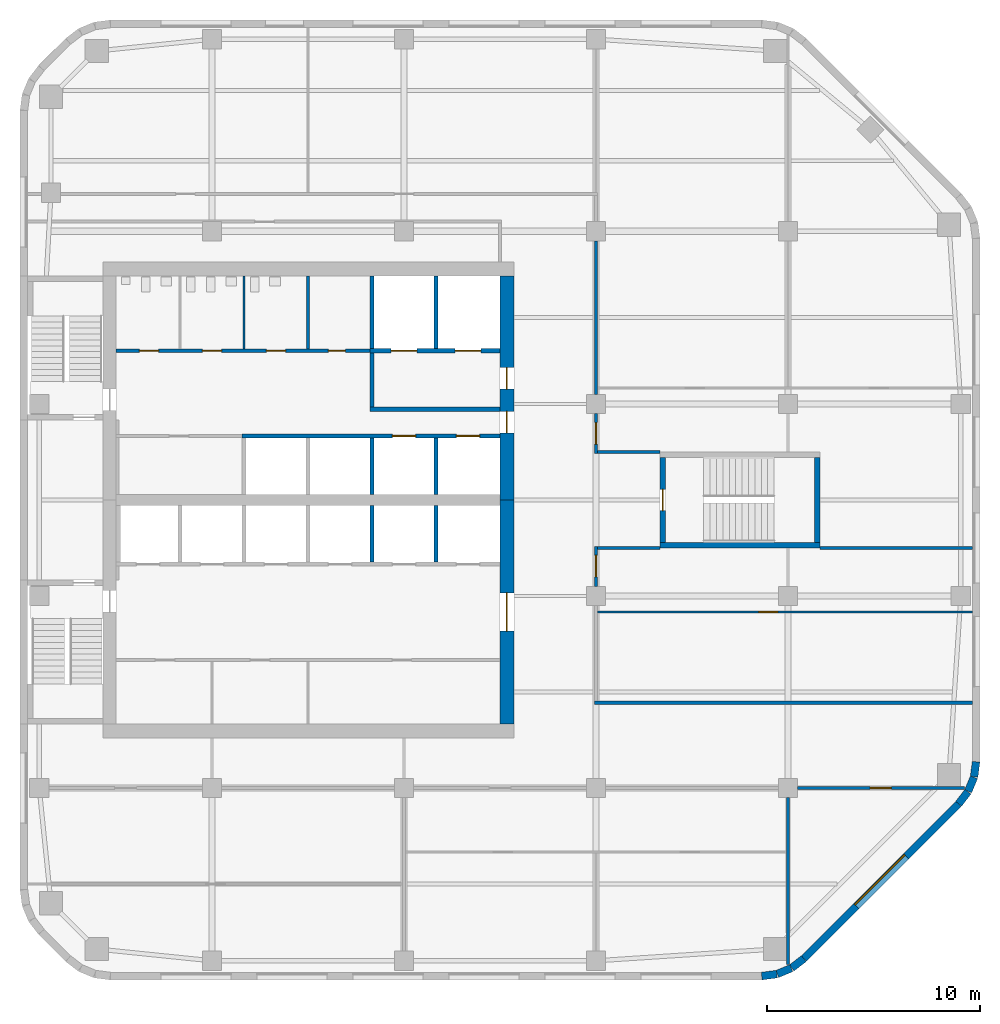
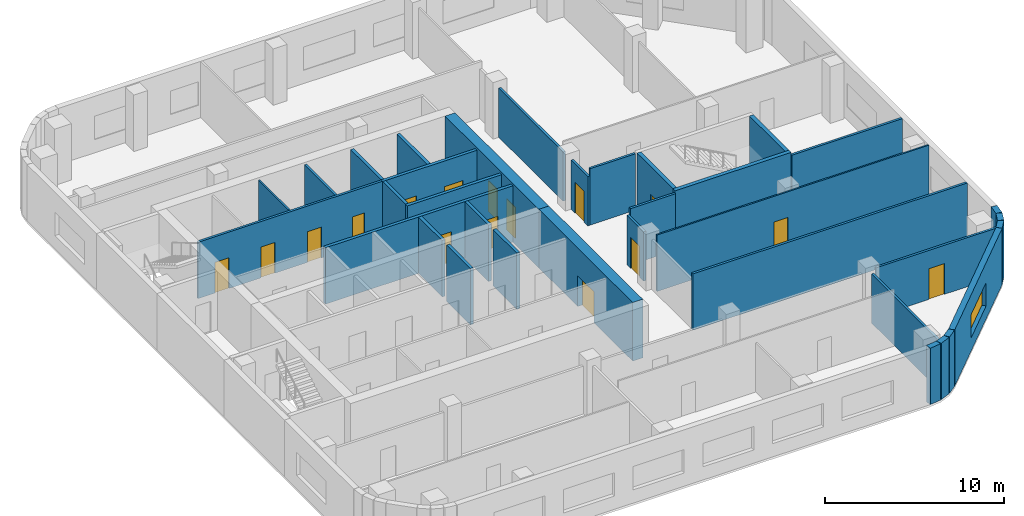
# One storey, part 4 of 8: 35 walls, 16 doors, 1 window, 17 openings.
"""IFC4 building model written with IfcOpenShell, lengths in metres."""

from ifc_helpers import new_model, si_unit, direction, frame, frame_2d, origin, place, context, subcontext, project, spatial, rectangle, extrude, material, layer, layer_set, type_object, element, fill, save


model = new_model("IFC4")

# Units and contexts
model_context = context("Model", 3, precision=1e-05, world=origin(), true_north=direction((0.0, 1.0)))
body_context = subcontext(model_context, "Body", "Model", "MODEL_VIEW")
ifc_project = project(units=[si_unit("LENGTHUNIT", "METRE"), si_unit("AREAUNIT", "SQUARE_METRE"), si_unit("VOLUMEUNIT", "CUBIC_METRE"), si_unit("PLANEANGLEUNIT", "RADIAN"), si_unit("MASSUNIT", "GRAM", prefix="KILO")], contexts=[model_context])

# Site, building, storey
site_placement = place(None, origin())
site = spatial("IfcSite", under=ifc_project, at=site_placement, CompositionType="ELEMENT")
building_placement = place(site_placement, origin())
building = spatial("IfcBuilding", under=site, at=building_placement, Name="Cinnabar Reach Civic Tower", CompositionType="ELEMENT")
storey_placement = place(building_placement, frame((0.0, 0.0, 185.0)))
storey = spatial("IfcBuildingStorey", under=building, at=storey_placement, Name="L44", CompositionType="ELEMENT", Elevation=185.0)

# Walls
ifc_material_1 = material(Name="Facing brick with insulated backing", Category="masonry")
ifc_layer_1 = layer(ifc_material_1, 0.36)
ifc_layer_set_1 = layer_set([ifc_layer_1], Name="Brick corner wall")
wall_type_1 = type_object("IfcWallType", Name="Brick corner wall", PredefinedType="STANDARD", material=ifc_layer_set_1)
for number, where, z_axis, x_axis, name in (
    (1, (34.7686, 9.183, 0.0), (0.0, 0.0, 1.0), (0.99144092581, 0.13055608231, 0.0), "Brick corner wall"),
    (2, (35.4973, 9.2819, 0.0), (0.0, 0.0, 1.0), (0.923871547278, 0.382702709855, 0.0), "Brick corner wall"),
):
    element("IfcWall", number, at=place(storey_placement, frame(where, z_axis=z_axis, x_axis=x_axis)), inside=storey, type_object=wall_type_1, Name=name, PredefinedType="STANDARD", context=body_context, shape_type="SweptSolid", body=[
        extrude(rectangle(XDim=0.7131, YDim=0.36, at=frame_2d((0.3565, 0.0))), origin(), (0.0, 0.0, 1.0), 3.85),
    ])
for number, where, z_axis, x_axis, name in (
    (3, (36.1755, 9.566, 0.0), (0.0, 0.0, 1.0), (0.793321924995, 0.608802368033, 0.0), "Brick corner wall"),
    (4, (43.9998, 17.2587, 0.0), (0.0, 0.0, 1.0), (0.608802368033, 0.793321924995, 0.0), "Brick corner wall"),
):
    element("IfcWall", number, at=place(storey_placement, frame(where, z_axis=z_axis, x_axis=x_axis)), inside=storey, type_object=wall_type_1, Name=name, PredefinedType="STANDARD", context=body_context, shape_type="SweptSolid", body=[
        extrude(rectangle(XDim=0.7132, YDim=0.36, at=frame_2d((0.3566, 0.0))), origin(), (0.0, 0.0, 1.0), 3.85),
    ])
for number, where, z_axis, x_axis, name in (
    (5, (44.4452, 17.8439, 0.0), (0.0, 0.0, 1.0), (0.382702709855, 0.923871547278, 0.0), "Brick corner wall"),
    (6, (44.7239, 18.5244, 0.0), (0.0, 0.0, 1.0), (0.13055608231, 0.99144092581, 0.0), "Brick corner wall"),
):
    element("IfcWall", number, at=place(storey_placement, frame(where, z_axis=z_axis, x_axis=x_axis)), inside=storey, type_object=wall_type_1, Name=name, PredefinedType="STANDARD", context=body_context, shape_type="SweptSolid", body=[
        extrude(rectangle(XDim=0.7131, YDim=0.36, at=frame_2d((0.3565, 0.0))), origin(), (0.0, 0.0, 1.0), 3.85),
    ])

# Wall, opening, window
ifc_layer_2 = layer(ifc_material_1, 0.36)
ifc_layer_set_2 = layer_set([ifc_layer_2], Name="Brick pier and spandrel wall")
wall_type_2 = type_object("IfcWallType", Name="Brick pier and spandrel wall", PredefinedType="STANDARD", material=ifc_layer_set_2)
wall_1_placement = place(storey_placement, frame((36.7514, 10.006, 0.0), z_axis=(0.0, 0.0, 1.0), x_axis=(0.707106781187, 0.707106781187, 0.0)))
wall_1 = element("IfcWall", 7, at=wall_1_placement, inside=storey, type_object=wall_type_2, Name="Brick facade wall", PredefinedType="STANDARD", context=body_context, shape_type="SweptSolid", body=[
    extrude(rectangle(XDim=10.2426, YDim=0.36, at=frame_2d((5.1213, 0.0))), origin(), (0.0, 0.0, 1.0), 3.85),
])
opening_1_placement = place(wall_1_placement, frame((3.4713, 0.0, 0.9)))
opening_1 = element("IfcOpeningElement", 8, at=opening_1_placement, cuts=wall_1, Name="Opening W1907", PredefinedType="OPENING", context=body_context, shape_type="SweptSolid", body=[
    extrude(rectangle(XDim=3.3, YDim=1.6, at=frame_2d((1.65, 0.8))), frame((0.0, 0.19, 0.0), z_axis=(0.0, -1.0, 0.0), x_axis=(1.0, 0.0, 0.0)), (0.0, 0.0, 1.0), 0.38),
])
ifc_material_2 = material(Name="Clear double glazing in aluminium frame", Category="aluminium")
window_type = type_object("IfcWindowType", Name="Deep-set window A", PartitioningType="SINGLE_PANEL", PredefinedType="WINDOW", material=ifc_material_2)
window_placement = place(opening_1_placement, origin())
window = element("IfcWindow", 9, at=window_placement, inside=storey, type_object=window_type, Name="Window southeast face", OverallHeight=1.6, OverallWidth=3.3, PartitioningType="SINGLE_PANEL", PredefinedType="WINDOW", context=body_context, shape_type="SweptSolid", body=[
    extrude(rectangle(XDim=3.3, YDim=1.6, at=frame_2d((1.65, 0.8))), frame((0.0, 0.13, 0.0), z_axis=(0.0, -1.0, 0.0), x_axis=(1.0, 0.0, 0.0)), (0.0, 0.0, 1.0), 0.06),
])
fill(opening_1, window)

# Wall, opening, door
ifc_material_3 = material(Name="Concrete C70", Category="concrete")
ifc_layer_3 = layer(ifc_material_3, 0.65)
ifc_layer_set_3 = layer_set([ifc_layer_3], Name="Core wall 650 EI 180")
wall_type_3 = type_object("IfcWallType", Name="Core wall 650 EI 180", PredefinedType="SOLIDWALL", material=ifc_layer_set_3)
wall_2_placement = place(storey_placement, frame((22.825, 21.0, 0.0), z_axis=(0.0, 0.0, 1.0), x_axis=(0.0, 1.0, 0.0)))
wall_2 = element("IfcWall", 10, at=wall_2_placement, inside=storey, type_object=wall_type_3, Name="Core wall T1 L44 E", PredefinedType="SOLIDWALL", context=body_context, shape_type="SweptSolid", body=[
    extrude(rectangle(XDim=10.5, YDim=0.65, at=frame_2d((5.25, 0.0))), origin(), (0.0, 0.0, 1.0), 4.0),
])
opening_2_placement = place(wall_2_placement, frame((4.35, 0.0, 0.0)))
opening_2 = element("IfcOpeningElement", 11, at=opening_2_placement, cuts=wall_2, Name="Opening D4808", PredefinedType="OPENING", context=body_context, shape_type="SweptSolid", body=[
    extrude(rectangle(XDim=1.8, YDim=2.1, at=frame_2d((0.9, 1.05))), frame((0.0, 0.335, 0.0), z_axis=(0.0, -1.0, 0.0), x_axis=(1.0, 0.0, 0.0)), (0.0, 0.0, 1.0), 0.67),
])
ifc_material_4 = material(Name="Timber door leaf in steel frame", Category="steel")
door_type_1 = type_object("IfcDoorType", Name="Double swing door 1800 x 2100 T1", OperationType="DOUBLE_DOOR_DOUBLE_SWING", PredefinedType="DOOR", material=ifc_material_4)
door_1_placement = place(opening_2_placement, origin())
door_1 = element("IfcDoor", 12, at=door_1_placement, inside=storey, type_object=door_type_1, Name="Door D4808", OperationType="DOUBLE_DOOR_DOUBLE_SWING", OverallHeight=2.1, OverallWidth=1.8, PredefinedType="DOOR", context=body_context, shape_type="SweptSolid", body=[
    extrude(rectangle(XDim=1.8, YDim=2.1, at=frame_2d((0.9, 1.05))), frame((0.0, 0.025, 0.0), z_axis=(0.0, -1.0, 0.0), x_axis=(1.0, 0.0, 0.0)), (0.0, 0.0, 1.0), 0.05),
])
fill(opening_2, door_1)

# Wall, openings, doors
wall_3_placement = place(storey_placement, frame((22.825, 31.5, 0.0), z_axis=(0.0, 0.0, 1.0), x_axis=(0.0, 1.0, 0.0)))
wall_3 = element("IfcWall", 13, at=wall_3_placement, inside=storey, type_object=wall_type_3, Name="Core wall T1 L44 E2", PredefinedType="SOLIDWALL", context=body_context, shape_type="SweptSolid", body=[
    extrude(rectangle(XDim=10.5, YDim=0.65, at=frame_2d((5.25, 0.0))), origin(), (0.0, 0.0, 1.0), 4.0),
])
opening_3_placement = place(wall_3_placement, frame((3.15, 0.0, 0.0)))
opening_3 = element("IfcOpeningElement", 14, at=opening_3_placement, cuts=wall_3, Name="Opening D4809", PredefinedType="OPENING", context=body_context, shape_type="SweptSolid", body=[
    extrude(rectangle(XDim=1.0, YDim=2.1, at=frame_2d((0.5, 1.05))), frame((0.0, 0.335, 0.0), z_axis=(0.0, -1.0, 0.0), x_axis=(1.0, 0.0, 0.0)), (0.0, 0.0, 1.0), 0.67),
])
opening_4_placement = place(wall_3_placement, frame((5.2, 0.0, 0.0)))
opening_4 = element("IfcOpeningElement", 15, at=opening_4_placement, cuts=wall_3, Name="Opening D4810", PredefinedType="OPENING", context=body_context, shape_type="SweptSolid", body=[
    extrude(rectangle(XDim=1.0, YDim=2.1, at=frame_2d((0.5, 1.05))), frame((0.0, 0.335, 0.0), z_axis=(0.0, -1.0, 0.0), x_axis=(1.0, 0.0, 0.0)), (0.0, 0.0, 1.0), 0.67),
])
door_type_2 = type_object("IfcDoorType", Name="Firefighting lobby door 1000 x 2100 T1", OperationType="SINGLE_SWING_LEFT", PredefinedType="DOOR", material=ifc_material_4)
door_2_placement = place(opening_4_placement, origin())
door_2 = element("IfcDoor", 16, at=door_2_placement, inside=storey, type_object=door_type_2, Name="Door D4810", OperationType="SINGLE_SWING_LEFT", OverallHeight=2.1, OverallWidth=1.0, PredefinedType="DOOR", context=body_context, shape_type="SweptSolid", body=[
    extrude(rectangle(XDim=1.0, YDim=2.1, at=frame_2d((0.5, 1.05))), frame((0.0, 0.025, 0.0), z_axis=(0.0, -1.0, 0.0), x_axis=(1.0, 0.0, 0.0)), (0.0, 0.0, 1.0), 0.05),
])
fill(opening_4, door_2)
door_type_3 = type_object("IfcDoorType", Name="Single swing door 1000 x 2100 T1", OperationType="SINGLE_SWING_LEFT", PredefinedType="DOOR", material=ifc_material_4)
door_3_placement = place(opening_3_placement, origin())
door_3 = element("IfcDoor", 17, at=door_3_placement, inside=storey, type_object=door_type_3, Name="Door D4809", OperationType="SINGLE_SWING_RIGHT", OverallHeight=2.1, OverallWidth=1.0, PredefinedType="DOOR", context=body_context, shape_type="SweptSolid", body=[
    extrude(rectangle(XDim=1.0, YDim=2.1, at=frame_2d((0.5, 1.05))), frame((0.0, 0.025, 0.0), z_axis=(0.0, -1.0, 0.0), x_axis=(1.0, 0.0, 0.0)), (0.0, 0.0, 1.0), 0.05),
])
fill(opening_3, door_3)

# Wall, opening, door
ifc_material_5 = material(Name="Gypsum board on steel studs, double layer", Category="steel")
ifc_layer_4 = layer(ifc_material_5, 0.15)
ifc_layer_set_4 = layer_set([ifc_layer_4], Name="Corridor wall 150 T1")
wall_type_4 = type_object("IfcWallType", Name="Corridor wall 150 T1", PredefinedType="PARTITIONING", material=ifc_layer_set_4)
wall_4_placement = place(storey_placement, frame((36.45, 18.0, 0.0), z_axis=(0.0, 0.0, 1.0), x_axis=(1.0, 0.0, 0.0)))
wall_4 = element("IfcWall", 18, at=wall_4_placement, inside=storey, type_object=wall_type_4, Name="Corridor wall 22", PredefinedType="PARTITIONING", context=body_context, shape_type="SweptSolid", body=[
    extrude(rectangle(XDim=7.834, YDim=0.15, at=frame_2d((3.917, 0.0))), origin(), (0.0, 0.0, 1.0), 3.35),
])
opening_5_placement = place(wall_4_placement, frame((3.4, 0.0, 0.0)))
opening_5 = element("IfcOpeningElement", 19, at=opening_5_placement, cuts=wall_4, Name="Opening D4830", PredefinedType="OPENING", context=body_context, shape_type="SweptSolid", body=[
    extrude(rectangle(XDim=1.0, YDim=2.1, at=frame_2d((0.5, 1.05))), frame((0.0, 0.085, 0.0), z_axis=(0.0, -1.0, 0.0), x_axis=(1.0, 0.0, 0.0)), (0.0, 0.0, 1.0), 0.17),
])
door_type_4 = type_object("IfcDoorType", Name="Tenancy entrance door 1000 x 2100 T1", OperationType="SINGLE_SWING_LEFT", PredefinedType="DOOR", material=ifc_material_4)
door_4_placement = place(opening_5_placement, frame((1.0, 0.0, 0.0), z_axis=(0.0, 0.0, 1.0), x_axis=(-1.0, 0.0, 0.0)))
door_4 = element("IfcDoor", 20, at=door_4_placement, inside=storey, type_object=door_type_4, Name="Door D4830", OperationType="SINGLE_SWING_LEFT", OverallHeight=2.1, OverallWidth=1.0, PredefinedType="DOOR", context=body_context, shape_type="SweptSolid", body=[
    extrude(rectangle(XDim=1.0, YDim=2.1, at=frame_2d((0.5, 1.05))), frame((0.0, 0.025, 0.0), z_axis=(0.0, -1.0, 0.0), x_axis=(1.0, 0.0, 0.0)), (0.0, 0.0, 1.0), 0.05),
])
fill(opening_5, door_4)

# Wall
wall_5_placement = place(storey_placement, frame((26.925, 22.0, 0.0), z_axis=(0.0, 0.0, 1.0), x_axis=(1.0, 0.0, 0.0)))
element("IfcWall", 21, at=wall_5_placement, inside=storey, type_object=wall_type_4, Name="Corridor wall 27", PredefinedType="PARTITIONING", context=body_context, shape_type="SweptSolid", body=[
    extrude(rectangle(XDim=17.715, YDim=0.15, at=frame_2d((8.8575, 0.0))), origin(), (0.0, 0.0, 1.0), 3.85),
])

# Wall, opening, door
wall_6_placement = place(storey_placement, frame((27.0, 33.675, 0.0), z_axis=(0.0, 0.0, 1.0), x_axis=(0.0, 1.0, 0.0)))
wall_6 = element("IfcWall", 22, at=wall_6_placement, inside=storey, type_object=wall_type_4, Name="Corridor wall 28", PredefinedType="PARTITIONING", context=body_context, shape_type="SweptSolid", body=[
    extrude(rectangle(XDim=1.875, YDim=0.15, at=frame_2d((0.9375, 0.0))), origin(), (0.0, 0.0, 1.0), 3.362),
])
opening_6_placement = place(wall_6_placement, frame((0.45, 0.0, 0.0)))
opening_6 = element("IfcOpeningElement", 23, at=opening_6_placement, cuts=wall_6, Name="Opening D4820", PredefinedType="OPENING", context=body_context, shape_type="SweptSolid", body=[
    extrude(rectangle(XDim=1.0, YDim=2.1, at=frame_2d((0.5, 1.05))), frame((0.0, 0.085, 0.0), z_axis=(0.0, -1.0, 0.0), x_axis=(1.0, 0.0, 0.0)), (0.0, 0.0, 1.0), 0.17),
])
door_5_placement = place(opening_6_placement, frame((1.0, 0.0, 0.0), z_axis=(0.0, 0.0, 1.0), x_axis=(-1.0, 0.0, 0.0)))
door_5 = element("IfcDoor", 24, at=door_5_placement, inside=storey, type_object=door_type_4, Name="Door D4820", OperationType="SINGLE_SWING_RIGHT", OverallHeight=2.1, OverallWidth=1.0, PredefinedType="DOOR", context=body_context, shape_type="SweptSolid", body=[
    extrude(rectangle(XDim=1.0, YDim=2.1, at=frame_2d((0.5, 1.05))), frame((0.0, 0.025, 0.0), z_axis=(0.0, -1.0, 0.0), x_axis=(1.0, 0.0, 0.0)), (0.0, 0.0, 1.0), 0.05),
])
fill(opening_6, door_5)

# Wall
wall_7_placement = place(storey_placement, frame((27.0, 36.45, 0.0), z_axis=(0.0, 0.0, 1.0), x_axis=(0.0, 1.0, 0.0)))
element("IfcWall", 25, at=wall_7_placement, inside=storey, type_object=wall_type_4, Name="Corridor wall 29", PredefinedType="PARTITIONING", context=body_context, shape_type="SweptSolid", body=[
    extrude(rectangle(XDim=7.2, YDim=0.15, at=frame_2d((3.6, 0.0))), origin(), (0.0, 0.0, 1.0), 3.362),
])

# Wall, openings, doors
wall_8_placement = place(storey_placement, frame((4.5, 38.5, 0.0), z_axis=(0.0, 0.0, 1.0), x_axis=(1.0, 0.0, 0.0)))
wall_8 = element("IfcWall", 26, at=wall_8_placement, inside=storey, type_object=wall_type_4, Name="Corridor wall 31", PredefinedType="PARTITIONING", context=body_context, shape_type="SweptSolid", body=[
    extrude(rectangle(XDim=11.9, YDim=0.15, at=frame_2d((5.95, 0.0))), origin(), (0.0, 0.0, 1.0), 3.85),
])
opening_7_placement = place(wall_8_placement, frame((1.1, 0.0, 0.0)))
opening_7 = element("IfcOpeningElement", 27, at=opening_7_placement, cuts=wall_8, Name="Opening D4816", PredefinedType="OPENING", context=body_context, shape_type="SweptSolid", body=[
    extrude(rectangle(XDim=0.9, YDim=2.1, at=frame_2d((0.45, 1.05))), frame((0.0, 0.085, 0.0), z_axis=(0.0, -1.0, 0.0), x_axis=(1.0, 0.0, 0.0)), (0.0, 0.0, 1.0), 0.17),
])
opening_8_placement = place(wall_8_placement, frame((4.05, 0.0, 0.0)))
opening_8 = element("IfcOpeningElement", 28, at=opening_8_placement, cuts=wall_8, Name="Opening D4817", PredefinedType="OPENING", context=body_context, shape_type="SweptSolid", body=[
    extrude(rectangle(XDim=0.9, YDim=2.1, at=frame_2d((0.45, 1.05))), frame((0.0, 0.085, 0.0), z_axis=(0.0, -1.0, 0.0), x_axis=(1.0, 0.0, 0.0)), (0.0, 0.0, 1.0), 0.17),
])
opening_9_placement = place(wall_8_placement, frame((7.05, 0.0, 0.0)))
opening_9 = element("IfcOpeningElement", 29, at=opening_9_placement, cuts=wall_8, Name="Opening D4818", PredefinedType="OPENING", context=body_context, shape_type="SweptSolid", body=[
    extrude(rectangle(XDim=0.9, YDim=2.1, at=frame_2d((0.45, 1.05))), frame((0.0, 0.085, 0.0), z_axis=(0.0, -1.0, 0.0), x_axis=(1.0, 0.0, 0.0)), (0.0, 0.0, 1.0), 0.17),
])
opening_10_placement = place(wall_8_placement, frame((9.95, 0.0, 0.0)))
opening_10 = element("IfcOpeningElement", 30, at=opening_10_placement, cuts=wall_8, Name="Opening D4819", PredefinedType="OPENING", context=body_context, shape_type="SweptSolid", body=[
    extrude(rectangle(XDim=0.8, YDim=2.1, at=frame_2d((0.4, 1.05))), frame((0.0, 0.085, 0.0), z_axis=(0.0, -1.0, 0.0), x_axis=(1.0, 0.0, 0.0)), (0.0, 0.0, 1.0), 0.17),
])
door_type_5 = type_object("IfcDoorType", Name="Riser access door 800 x 2100 T1", OperationType="SINGLE_SWING_LEFT", PredefinedType="DOOR", material=ifc_material_4)
door_6_placement = place(opening_10_placement, origin())
door_6 = element("IfcDoor", 31, at=door_6_placement, inside=storey, type_object=door_type_5, Name="Door D4819", OperationType="SINGLE_SWING_LEFT", OverallHeight=2.1, OverallWidth=0.8, PredefinedType="DOOR", context=body_context, shape_type="SweptSolid", body=[
    extrude(rectangle(XDim=0.8, YDim=2.1, at=frame_2d((0.4, 1.05))), frame((0.0, 0.025, 0.0), z_axis=(0.0, -1.0, 0.0), x_axis=(1.0, 0.0, 0.0)), (0.0, 0.0, 1.0), 0.05),
])
fill(opening_10, door_6)
door_type_6 = type_object("IfcDoorType", Name="Single swing door 900 x 2100 corridor T1", OperationType="SINGLE_SWING_LEFT", PredefinedType="DOOR", material=ifc_material_4)
door_7_placement = place(opening_7_placement, origin())
door_7 = element("IfcDoor", 32, at=door_7_placement, inside=storey, type_object=door_type_6, Name="Door D4816", OperationType="SINGLE_SWING_LEFT", OverallHeight=2.1, OverallWidth=0.9, PredefinedType="DOOR", context=body_context, shape_type="SweptSolid", body=[
    extrude(rectangle(XDim=0.9, YDim=2.1, at=frame_2d((0.45, 1.05))), frame((0.0, 0.025, 0.0), z_axis=(0.0, -1.0, 0.0), x_axis=(1.0, 0.0, 0.0)), (0.0, 0.0, 1.0), 0.05),
])
fill(opening_7, door_7)
door_8_placement = place(opening_8_placement, origin())
door_8 = element("IfcDoor", 33, at=door_8_placement, inside=storey, type_object=door_type_6, Name="Door D4817", OperationType="SINGLE_SWING_RIGHT", OverallHeight=2.1, OverallWidth=0.9, PredefinedType="DOOR", context=body_context, shape_type="SweptSolid", body=[
    extrude(rectangle(XDim=0.9, YDim=2.1, at=frame_2d((0.45, 1.05))), frame((0.0, 0.025, 0.0), z_axis=(0.0, -1.0, 0.0), x_axis=(1.0, 0.0, 0.0)), (0.0, 0.0, 1.0), 0.05),
])
fill(opening_8, door_8)
door_9_placement = place(opening_9_placement, origin())
door_9 = element("IfcDoor", 34, at=door_9_placement, inside=storey, type_object=door_type_6, Name="Door D4818", OperationType="SINGLE_SWING_LEFT", OverallHeight=2.1, OverallWidth=0.9, PredefinedType="DOOR", context=body_context, shape_type="SweptSolid", body=[
    extrude(rectangle(XDim=0.9, YDim=2.1, at=frame_2d((0.45, 1.05))), frame((0.0, 0.025, 0.0), z_axis=(0.0, -1.0, 0.0), x_axis=(1.0, 0.0, 0.0)), (0.0, 0.0, 1.0), 0.05),
])
fill(opening_9, door_9)

# Wall, opening, door
wall_9_placement = place(storey_placement, frame((27.0, 27.45, 0.0), z_axis=(0.0, 0.0, 1.0), x_axis=(0.0, 1.0, 0.0)))
wall_9 = element("IfcWall", 35, at=wall_9_placement, inside=storey, type_object=wall_type_4, Name="Corridor wall 33", PredefinedType="PARTITIONING", context=body_context, shape_type="SweptSolid", body=[
    extrude(rectangle(XDim=1.875, YDim=0.15, at=frame_2d((0.9375, 0.0))), origin(), (0.0, 0.0, 1.0), 3.362),
])
opening_11_placement = place(wall_9_placement, frame((0.45, 0.0, 0.0)))
opening_11 = element("IfcOpeningElement", 36, at=opening_11_placement, cuts=wall_9, Name="Opening D4823", PredefinedType="OPENING", context=body_context, shape_type="SweptSolid", body=[
    extrude(rectangle(XDim=1.0, YDim=2.1, at=frame_2d((0.5, 1.05))), frame((0.0, 0.085, 0.0), z_axis=(0.0, -1.0, 0.0), x_axis=(1.0, 0.0, 0.0)), (0.0, 0.0, 1.0), 0.17),
])
door_10_placement = place(opening_11_placement, frame((1.0, 0.0, 0.0), z_axis=(0.0, 0.0, 1.0), x_axis=(-1.0, 0.0, 0.0)))
door_10 = element("IfcDoor", 37, at=door_10_placement, inside=storey, type_object=door_type_4, Name="Door D4823", OperationType="SINGLE_SWING_LEFT", OverallHeight=2.1, OverallWidth=1.0, PredefinedType="DOOR", context=body_context, shape_type="SweptSolid", body=[
    extrude(rectangle(XDim=1.0, YDim=2.1, at=frame_2d((0.5, 1.05))), frame((0.0, 0.025, 0.0), z_axis=(0.0, -1.0, 0.0), x_axis=(1.0, 0.0, 0.0)), (0.0, 0.0, 1.0), 0.05),
])
fill(opening_11, door_10)

# Walls
for number, where, z_axis, x_axis, name in (
    (38, (27.075, 29.25, 0.0), (0.0, 0.0, 1.0), (1.0, 0.0, 0.0), "Corridor wall 37"),
    (39, (27.075, 33.75, 0.0), (0.0, 0.0, 1.0), (1.0, 0.0, 0.0), "Corridor wall 38"),
):
    element("IfcWall", number, at=place(storey_placement, frame(where, z_axis=z_axis, x_axis=x_axis)), inside=storey, type_object=wall_type_4, Name=name, PredefinedType="PARTITIONING", context=body_context, shape_type="SweptSolid", body=[
        extrude(rectangle(XDim=2.925, YDim=0.15, at=frame_2d((1.4625, 0.0))), origin(), (0.0, 0.0, 1.0), 3.85),
    ])

# Wall, openings, doors
ifc_material_6 = material(Name="Blockwork", Category="masonry")
ifc_layer_5 = layer(ifc_material_6, 0.2)
ifc_layer_set_5 = layer_set([ifc_layer_5], Name="Lift shaft wall 200 T1")
wall_type_5 = type_object("IfcWallType", Name="Lift shaft wall 200 T1", PredefinedType="PARTITIONING", material=ifc_layer_set_5)
wall_10_placement = place(storey_placement, frame((10.4, 34.5, 0.0), z_axis=(0.0, 0.0, 1.0), x_axis=(1.0, 0.0, 0.0)))
wall_10 = element("IfcWall", 40, at=wall_10_placement, inside=storey, type_object=wall_type_5, Name="Lift shaft wall 5", PredefinedType="PARTITIONING", context=body_context, shape_type="SweptSolid", body=[
    extrude(rectangle(XDim=12.1, YDim=0.2, at=frame_2d((6.05, 0.0))), origin(), (0.0, 0.0, 1.0), 3.85),
])
opening_12_placement = place(wall_10_placement, frame((7.05, 0.0, 0.0)))
opening_12 = element("IfcOpeningElement", 41, at=opening_12_placement, cuts=wall_10, Name="Opening D4804", PredefinedType="OPENING", context=body_context, shape_type="SweptSolid", body=[
    extrude(rectangle(XDim=1.1, YDim=2.1, at=frame_2d((0.55, 1.05))), frame((0.0, 0.11, 0.0), z_axis=(0.0, -1.0, 0.0), x_axis=(1.0, 0.0, 0.0)), (0.0, 0.0, 1.0), 0.22),
])
opening_13_placement = place(wall_10_placement, frame((10.05, 0.0, 0.0)))
opening_13 = element("IfcOpeningElement", 42, at=opening_13_placement, cuts=wall_10, Name="Opening D4805", PredefinedType="OPENING", context=body_context, shape_type="SweptSolid", body=[
    extrude(rectangle(XDim=1.1, YDim=2.1, at=frame_2d((0.55, 1.05))), frame((0.0, 0.11, 0.0), z_axis=(0.0, -1.0, 0.0), x_axis=(1.0, 0.0, 0.0)), (0.0, 0.0, 1.0), 0.22),
])
ifc_material_7 = material(Name="Stainless steel sliding door", Category="steel")
door_type_7 = type_object("IfcDoorType", Name="Lift landing door 1100 x 2100 T1", OperationType="SLIDING_TO_LEFT", PredefinedType="DOOR", material=ifc_material_7)
door_11_placement = place(opening_12_placement, origin())
door_11 = element("IfcDoor", 43, at=door_11_placement, inside=storey, type_object=door_type_7, Name="Lift landing door SV1 L44", OperationType="SLIDING_TO_LEFT", OverallHeight=2.1, OverallWidth=1.1, PredefinedType="DOOR", context=body_context, shape_type="SweptSolid", body=[
    extrude(rectangle(XDim=1.1, YDim=2.1, at=frame_2d((0.55, 1.05))), frame((0.0, 0.025, 0.0), z_axis=(0.0, -1.0, 0.0), x_axis=(1.0, 0.0, 0.0)), (0.0, 0.0, 1.0), 0.05),
])
fill(opening_12, door_11)
door_12_placement = place(opening_13_placement, origin())
door_12 = element("IfcDoor", 44, at=door_12_placement, inside=storey, type_object=door_type_7, Name="Lift landing door SV2 L44", OperationType="SLIDING_TO_LEFT", OverallHeight=2.1, OverallWidth=1.1, PredefinedType="DOOR", context=body_context, shape_type="SweptSolid", body=[
    extrude(rectangle(XDim=1.1, YDim=2.1, at=frame_2d((0.55, 1.05))), frame((0.0, 0.025, 0.0), z_axis=(0.0, -1.0, 0.0), x_axis=(1.0, 0.0, 0.0)), (0.0, 0.0, 1.0), 0.05),
])
fill(opening_13, door_12)

# Walls
for number, where, z_axis, x_axis, name in (
    (45, (16.5, 28.6, 0.0), (0.0, 0.0, 1.0), (0.0, 1.0, 0.0), "Lift shaft wall 10"),
    (46, (16.5, 31.75, 0.0), (0.0, 0.0, 1.0), (0.0, 1.0, 0.0), "Lift shaft wall 11"),
    (47, (19.5, 28.6, 0.0), (0.0, 0.0, 1.0), (0.0, 1.0, 0.0), "Lift shaft wall 12"),
    (48, (19.5, 31.75, 0.0), (0.0, 0.0, 1.0), (0.0, 1.0, 0.0), "Lift shaft wall 13"),
):
    element("IfcWall", number, at=place(storey_placement, frame(where, z_axis=z_axis, x_axis=x_axis)), inside=storey, type_object=wall_type_5, Name=name, PredefinedType="PARTITIONING", context=body_context, shape_type="SweptSolid", body=[
        extrude(rectangle(XDim=2.65, YDim=0.2, at=frame_2d((1.325, 0.0))), origin(), (0.0, 0.0, 1.0), 3.85),
    ])
for number, where, z_axis, x_axis, name in (
    (49, (16.5, 38.6, 0.0), (0.0, 0.0, 1.0), (0.0, 1.0, 0.0), "Lift shaft wall 14"),
    (50, (19.5, 38.6, 0.0), (0.0, 0.0, 1.0), (0.0, 1.0, 0.0), "Lift shaft wall 15"),
):
    element("IfcWall", number, at=place(storey_placement, frame(where, z_axis=z_axis, x_axis=x_axis)), inside=storey, type_object=wall_type_5, Name=name, PredefinedType="PARTITIONING", context=body_context, shape_type="SweptSolid", body=[
        extrude(rectangle(XDim=3.4, YDim=0.2, at=frame_2d((1.7, 0.0))), origin(), (0.0, 0.0, 1.0), 3.85),
    ])

# Wall, opening, door
ifc_material_8 = material(Name="Gypsum board on steel studs", Category="steel")
ifc_layer_6 = layer(ifc_material_8, 0.1)
ifc_layer_set_6 = layer_set([ifc_layer_6], Name="Partition wall 100 T1")
wall_type_6 = type_object("IfcWallType", Name="Partition wall 100 T1", PredefinedType="PARTITIONING", material=ifc_layer_set_6)
wall_11_placement = place(storey_placement, frame((27.075, 26.25, 0.0), z_axis=(0.0, 0.0, 1.0), x_axis=(1.0, 0.0, 0.0)))
wall_11 = element("IfcWall", 51, at=wall_11_placement, inside=storey, type_object=wall_type_6, Name="Partition wall 47", PredefinedType="PARTITIONING", context=body_context, shape_type="SweptSolid", body=[
    extrude(rectangle(XDim=17.565, YDim=0.1, at=frame_2d((8.7825, 0.0))), origin(), (0.0, 0.0, 1.0), 3.85),
])
opening_14_placement = place(wall_11_placement, frame((7.55, 0.0, 0.0)))
opening_14 = element("IfcOpeningElement", 52, at=opening_14_placement, cuts=wall_11, Name="Opening D4824", PredefinedType="OPENING", context=body_context, shape_type="SweptSolid", body=[
    extrude(rectangle(XDim=0.9, YDim=2.1, at=frame_2d((0.45, 1.05))), frame((0.0, 0.06, 0.0), z_axis=(0.0, -1.0, 0.0), x_axis=(1.0, 0.0, 0.0)), (0.0, 0.0, 1.0), 0.12),
])
door_type_8 = type_object("IfcDoorType", Name="Single swing door 900 x 2100 T1", OperationType="SINGLE_SWING_LEFT", PredefinedType="DOOR", material=ifc_material_4)
door_13_placement = place(opening_14_placement, origin())
door_13 = element("IfcDoor", 53, at=door_13_placement, inside=storey, type_object=door_type_8, Name="Door D4824", OperationType="SINGLE_SWING_RIGHT", OverallHeight=2.1, OverallWidth=0.9, PredefinedType="DOOR", context=body_context, shape_type="SweptSolid", body=[
    extrude(rectangle(XDim=0.9, YDim=2.1, at=frame_2d((0.45, 1.05))), frame((0.0, 0.025, 0.0), z_axis=(0.0, -1.0, 0.0), x_axis=(1.0, 0.0, 0.0)), (0.0, 0.0, 1.0), 0.05),
])
fill(opening_14, door_13)

# Walls
wall_12_placement = place(storey_placement, frame((10.5, 38.575, 0.0), z_axis=(0.0, 0.0, 1.0), x_axis=(0.0, 1.0, 0.0)))
element("IfcWall", 54, at=wall_12_placement, inside=storey, type_object=wall_type_6, Name="Partition wall 55", PredefinedType="PARTITIONING", context=body_context, shape_type="SweptSolid", body=[
    extrude(rectangle(XDim=3.425, YDim=0.1, at=frame_2d((1.7125, 0.0))), origin(), (0.0, 0.0, 1.0), 3.85),
])
ifc_material_9 = material(Name="Concrete C40", Category="concrete")
ifc_layer_7 = layer(ifc_material_9, 0.2)
ifc_layer_set_7 = layer_set([ifc_layer_7], Name="Refuge compartment wall 200 T1")
wall_type_7 = type_object("IfcWallType", Name="Refuge compartment wall 200 T1", PredefinedType="PARTITIONING", material=ifc_layer_set_7)
wall_13_placement = place(storey_placement, frame((16.4, 35.75, 0.0), z_axis=(0.0, 0.0, 1.0), x_axis=(1.0, 0.0, 0.0)))
element("IfcWall", 55, at=wall_13_placement, inside=storey, type_object=wall_type_7, Name="Refuge compartment wall 1", PredefinedType="PARTITIONING", context=body_context, shape_type="SweptSolid", body=[
    extrude(rectangle(XDim=6.1, YDim=0.2, at=frame_2d((3.05, 0.0))), origin(), (0.0, 0.0, 1.0), 3.85),
])

# Wall, openings, doors
wall_14_placement = place(storey_placement, frame((16.4, 38.5, 0.0), z_axis=(0.0, 0.0, 1.0), x_axis=(1.0, 0.0, 0.0)))
wall_14 = element("IfcWall", 56, at=wall_14_placement, inside=storey, type_object=wall_type_7, Name="Refuge compartment wall 2", PredefinedType="PARTITIONING", context=body_context, shape_type="SweptSolid", body=[
    extrude(rectangle(XDim=6.1, YDim=0.2, at=frame_2d((3.05, 0.0))), origin(), (0.0, 0.0, 1.0), 3.85),
])
opening_15_placement = place(wall_14_placement, frame((1.0, 0.0, 0.0)))
opening_15 = element("IfcOpeningElement", 57, at=opening_15_placement, cuts=wall_14, Name="Opening D4806", PredefinedType="OPENING", context=body_context, shape_type="SweptSolid", body=[
    extrude(rectangle(XDim=1.2, YDim=2.1, at=frame_2d((0.6, 1.05))), frame((0.0, 0.11, 0.0), z_axis=(0.0, -1.0, 0.0), x_axis=(1.0, 0.0, 0.0)), (0.0, 0.0, 1.0), 0.22),
])
opening_16_placement = place(wall_14_placement, frame((4.0, 0.0, 0.0)))
opening_16 = element("IfcOpeningElement", 58, at=opening_16_placement, cuts=wall_14, Name="Opening D4807", PredefinedType="OPENING", context=body_context, shape_type="SweptSolid", body=[
    extrude(rectangle(XDim=1.2, YDim=2.1, at=frame_2d((0.6, 1.05))), frame((0.0, 0.11, 0.0), z_axis=(0.0, -1.0, 0.0), x_axis=(1.0, 0.0, 0.0)), (0.0, 0.0, 1.0), 0.22),
])
door_type_9 = type_object("IfcDoorType", Name="Firefighting lift landing door 1200 x 2100 T1", OperationType="SLIDING_TO_LEFT", PredefinedType="DOOR", material=ifc_material_7)
door_14_placement = place(opening_15_placement, origin())
door_14 = element("IfcDoor", 59, at=door_14_placement, inside=storey, type_object=door_type_9, Name="Lift landing door FF1 L44", OperationType="SLIDING_TO_LEFT", OverallHeight=2.1, OverallWidth=1.2, PredefinedType="DOOR", context=body_context, shape_type="SweptSolid", body=[
    extrude(rectangle(XDim=1.2, YDim=2.1, at=frame_2d((0.6, 1.05))), frame((0.0, 0.025, 0.0), z_axis=(0.0, -1.0, 0.0), x_axis=(1.0, 0.0, 0.0)), (0.0, 0.0, 1.0), 0.05),
])
fill(opening_15, door_14)
door_15_placement = place(opening_16_placement, origin())
door_15 = element("IfcDoor", 60, at=door_15_placement, inside=storey, type_object=door_type_9, Name="Lift landing door FF2 L44", OperationType="SLIDING_TO_LEFT", OverallHeight=2.1, OverallWidth=1.2, PredefinedType="DOOR", context=body_context, shape_type="SweptSolid", body=[
    extrude(rectangle(XDim=1.2, YDim=2.1, at=frame_2d((0.6, 1.05))), frame((0.0, 0.025, 0.0), z_axis=(0.0, -1.0, 0.0), x_axis=(1.0, 0.0, 0.0)), (0.0, 0.0, 1.0), 0.05),
])
fill(opening_16, door_15)

# Walls
wall_15_placement = place(storey_placement, frame((16.5, 35.85, 0.0), z_axis=(0.0, 0.0, 1.0), x_axis=(0.0, 1.0, 0.0)))
element("IfcWall", 61, at=wall_15_placement, inside=storey, type_object=wall_type_7, Name="Refuge compartment wall 3", PredefinedType="PARTITIONING", context=body_context, shape_type="SweptSolid", body=[
    extrude(rectangle(XDim=2.55, YDim=0.2, at=frame_2d((1.275, 0.0))), origin(), (0.0, 0.0, 1.0), 3.85),
])
ifc_layer_8 = layer(ifc_material_6, 0.15)
ifc_layer_set_8 = layer_set([ifc_layer_8], Name="Riser wall 150 T1")
wall_type_8 = type_object("IfcWallType", Name="Riser wall 150 T1", PredefinedType="PARTITIONING", material=ifc_layer_set_8)
wall_16_placement = place(storey_placement, frame((13.5, 38.575, 0.0), z_axis=(0.0, 0.0, 1.0), x_axis=(0.0, 1.0, 0.0)))
element("IfcWall", 62, at=wall_16_placement, inside=storey, type_object=wall_type_8, Name="Riser wall 41", PredefinedType="PARTITIONING", context=body_context, shape_type="SweptSolid", body=[
    extrude(rectangle(XDim=3.425, YDim=0.15, at=frame_2d((1.7125, 0.0))), origin(), (0.0, 0.0, 1.0), 3.85),
])
ifc_material_10 = material(Name="Concrete C60", Category="concrete")
ifc_layer_9 = layer(ifc_material_10, 0.25)
ifc_layer_set_9 = layer_set([ifc_layer_9], Name="Stair shaft wall 250 EI 120")
wall_type_9 = type_object("IfcWallType", Name="Stair shaft wall 250 EI 120", PredefinedType="SOLIDWALL", material=ifc_layer_set_9)
wall_17_placement = place(storey_placement, frame((30.0, 29.375, 0.0), z_axis=(0.0, 0.0, 1.0), x_axis=(1.0, 0.0, 0.0)))
element("IfcWall", 63, at=wall_17_placement, inside=storey, type_object=wall_type_9, Name="Stair shaft wall T1-S3 L44", PredefinedType="SOLIDWALL", context=body_context, shape_type="SweptSolid", body=[
    extrude(rectangle(XDim=7.5, YDim=0.25, at=frame_2d((3.75, 0.0))), origin(), (0.0, 0.0, 1.0), 4.0),
])
wall_18_placement = place(storey_placement, frame((37.375, 29.5, 0.0), z_axis=(0.0, 0.0, 1.0), x_axis=(0.0, 1.0, 0.0)))
element("IfcWall", 64, at=wall_18_placement, inside=storey, type_object=wall_type_9, Name="Stair shaft wall T1-S3 L44", PredefinedType="SOLIDWALL", context=body_context, shape_type="SweptSolid", body=[
    extrude(rectangle(XDim=4.0, YDim=0.25, at=frame_2d((2.0, 0.0))), origin(), (0.0, 0.0, 1.0), 4.0),
])

# Wall, opening, door
wall_19_placement = place(storey_placement, frame((30.125, 33.5, 0.0), z_axis=(0.0, 0.0, 1.0), x_axis=(0.0, -1.0, 0.0)))
wall_19 = element("IfcWall", 65, at=wall_19_placement, inside=storey, type_object=wall_type_9, Name="Stair shaft wall T1-S3 L44", PredefinedType="SOLIDWALL", context=body_context, shape_type="SweptSolid", body=[
    extrude(rectangle(XDim=4.0, YDim=0.25, at=frame_2d((2.0, 0.0))), origin(), (0.0, 0.0, 1.0), 4.0),
])
opening_17_placement = place(wall_19_placement, frame((1.5, 0.0, 0.0)))
opening_17 = element("IfcOpeningElement", 66, at=opening_17_placement, cuts=wall_19, Name="Opening D4811", PredefinedType="OPENING", context=body_context, shape_type="SweptSolid", body=[
    extrude(rectangle(XDim=1.0, YDim=2.1, at=frame_2d((0.5, 1.05))), frame((0.0, 0.135, 0.0), z_axis=(0.0, -1.0, 0.0), x_axis=(1.0, 0.0, 0.0)), (0.0, 0.0, 1.0), 0.27),
])
door_type_10 = type_object("IfcDoorType", Name="Stair door 1000 x 2100 T1", OperationType="SINGLE_SWING_LEFT", PredefinedType="DOOR", material=ifc_material_4)
door_16_placement = place(opening_17_placement, origin())
door_16 = element("IfcDoor", 67, at=door_16_placement, inside=storey, type_object=door_type_10, Name="Door D4811", OperationType="SINGLE_SWING_LEFT", OverallHeight=2.1, OverallWidth=1.0, PredefinedType="DOOR", context=body_context, shape_type="SweptSolid", body=[
    extrude(rectangle(XDim=1.0, YDim=2.1, at=frame_2d((0.5, 1.05))), frame((0.0, 0.025, 0.0), z_axis=(0.0, -1.0, 0.0), x_axis=(1.0, 0.0, 0.0)), (0.0, 0.0, 1.0), 0.05),
])
fill(opening_17, door_16)

# Walls
ifc_layer_10 = layer(ifc_material_5, 0.15)
ifc_layer_set_10 = layer_set([ifc_layer_10], Name="Tenancy separating wall 150 T1")
wall_type_10 = type_object("IfcWallType", Name="Tenancy separating wall 150 T1", PredefinedType="PARTITIONING", material=ifc_layer_set_10)
wall_20_placement = place(storey_placement, frame((36.0, 9.716, 0.0), z_axis=(0.0, 0.0, 1.0), x_axis=(0.0, 1.0, 0.0)))
element("IfcWall", 68, at=wall_20_placement, inside=storey, type_object=wall_type_10, Name="Tenancy separating wall 43", PredefinedType="PARTITIONING", context=body_context, shape_type="SweptSolid", body=[
    extrude(rectangle(XDim=7.834, YDim=0.15, at=frame_2d((3.917, 0.0))), origin(), (0.0, 0.0, 1.0), 3.35),
])
wall_21_placement = place(storey_placement, frame((37.5, 29.25, 0.0), z_axis=(0.0, 0.0, 1.0), x_axis=(1.0, 0.0, 0.0)))
element("IfcWall", 69, at=wall_21_placement, inside=storey, type_object=wall_type_10, Name="Tenancy separating wall 44", PredefinedType="PARTITIONING", context=body_context, shape_type="SweptSolid", body=[
    extrude(rectangle(XDim=7.14, YDim=0.15, at=frame_2d((3.57, 0.0))), origin(), (0.0, 0.0, 1.0), 3.85),
])

save(model, "model.ifc")
